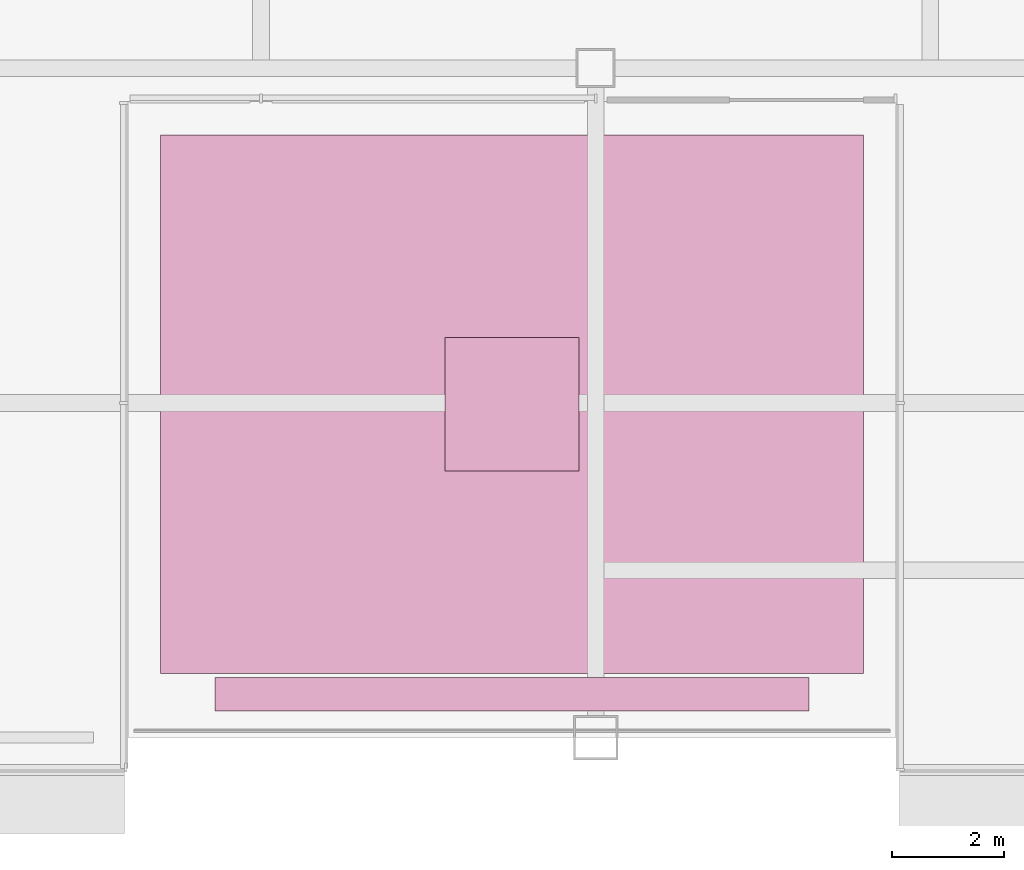
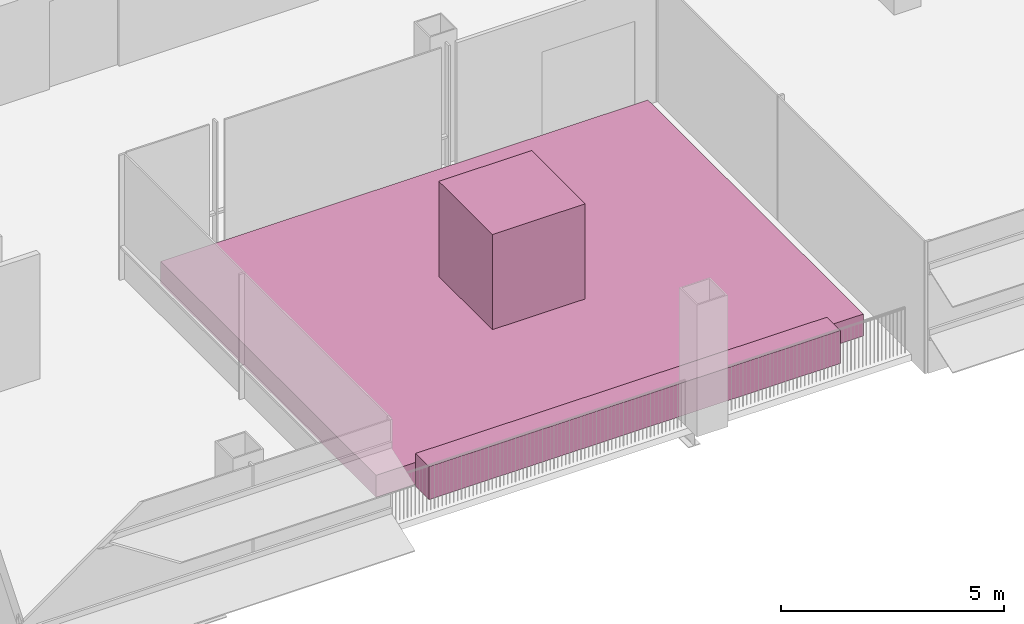
# One storey, part 26 of 26: 3 furniture elements.
"""IFC4 building model written with IfcOpenShell, lengths in metres."""

from ifc_helpers import new_model, si_unit, direction, frame, origin, origin_2d, place, context, subcontext, project, spatial, rectangle, extrude, material, type_object, element, save


model = new_model("IFC4")

# Units and contexts
model_context = context("Model", 3, precision=1e-05, world=origin(), true_north=direction((0.0, 1.0)))
body_context = subcontext(model_context, "Body", "Model", "MODEL_VIEW")
ifc_project = project(units=[si_unit("LENGTHUNIT", "METRE"), si_unit("AREAUNIT", "SQUARE_METRE"), si_unit("VOLUMEUNIT", "CUBIC_METRE"), si_unit("PLANEANGLEUNIT", "RADIAN"), si_unit("MASSUNIT", "GRAM", prefix="KILO")], contexts=[model_context])

# Site, building, storey
site_placement = place(None, origin())
site = spatial("IfcSite", under=ifc_project, at=site_placement, CompositionType="ELEMENT")
building_placement = place(site_placement, origin())
building = spatial("IfcBuilding", under=site, at=building_placement, Name="Sorahane Residences", CompositionType="ELEMENT")
storey_placement = place(building_placement, frame((0.0, 0.0, 103.39990234375)))
storey = spatial("IfcBuildingStorey", under=building, at=storey_placement, Name="L22", CompositionType="ELEMENT", Elevation=103.39990234375)

# Furniture
ifc_material_1 = material(Name="Planting soil with shrubs in a steel-framed bed", Category="steel")
furniture_type_1 = type_object("IfcFurnitureType", Name="PLANTER bed black steel frame with soil 12600x9650", AssemblyPlace="NOTDEFINED", PredefinedType="NOTDEFINED", material=ifc_material_1)
furniture_1_placement = place(storey_placement, frame((34.5, 5.97509765625, 0.0), z_axis=(0.0, 0.0, 1.0), x_axis=(1.0, 0.0, 0.0)))
element("IfcFurniture", 1, at=furniture_1_placement, inside=storey, type_object=furniture_type_1, Name="PLANTER bed L22.1.1", PredefinedType="NOTDEFINED", context=body_context, shape_type="SweptSolid", body=[
    extrude(rectangle(XDim=12.60009765625, YDim=9.64990234375, at=origin_2d()), origin(), (0.0, 0.0, 1.0), 0.60009765625),
])
ifc_material_2 = material(Name="Planting soil with hedge in a steel-framed trough", Category="steel")
furniture_type_2 = type_object("IfcFurnitureType", Name="PLANTER hedge strip black steel frame with soil", AssemblyPlace="NOTDEFINED", PredefinedType="NOTDEFINED", material=ifc_material_2)
furniture_2_placement = place(storey_placement, frame((34.5, 0.780029296875, 0.000244140625), z_axis=(0.0, 0.0, 1.0), x_axis=(-1.0, 0.0, 0.0)))
element("IfcFurniture", 2, at=furniture_2_placement, inside=storey, type_object=furniture_type_2, Name="PLANTER hedge L22.1.1", PredefinedType="NOTDEFINED", context=body_context, shape_type="SweptSolid", body=[
    extrude(rectangle(XDim=10.639892578125, YDim=0.60009765625, at=origin_2d()), origin(), (0.0, 0.0, 1.0), 0.89990234375),
])
ifc_material_3 = material(Name="Green foliage shrub planting")
furniture_type_3 = type_object("IfcFurnitureType", Name="PLANTER shrub planting green foliage", AssemblyPlace="NOTDEFINED", PredefinedType="NOTDEFINED", material=ifc_material_3)
furniture_3_placement = place(storey_placement, frame((34.5, 5.97509765625, 0.60009765625), z_axis=(0.0, 0.0, 1.0), x_axis=(1.0, 0.0, 0.0)))
element("IfcFurniture", 3, at=furniture_3_placement, inside=storey, type_object=furniture_type_3, Name="PLANTER shrub L22.1.1", PredefinedType="NOTDEFINED", context=body_context, shape_type="SweptSolid", body=[
    extrude(rectangle(XDim=2.39990234375, YDim=2.39990234375, at=origin_2d()), origin(), (0.0, 0.0, 1.0), 2.60009765625),
])

save(model, "model.ifc")
